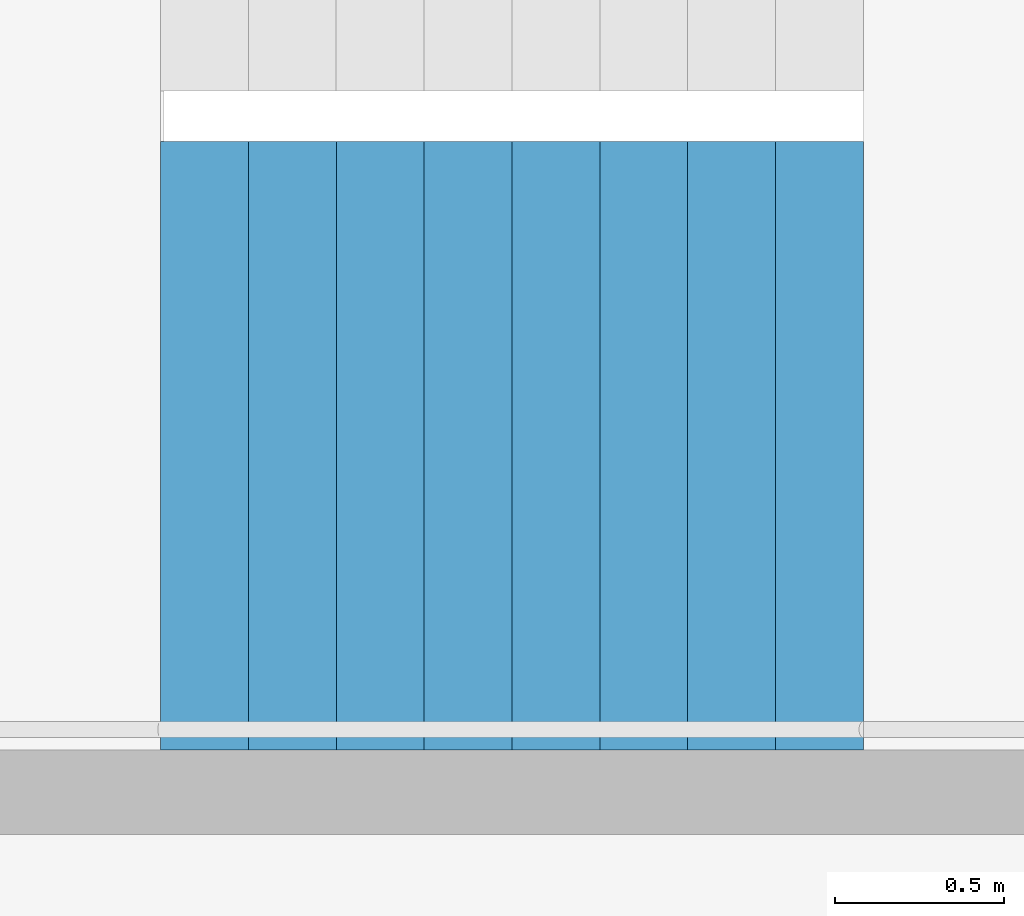
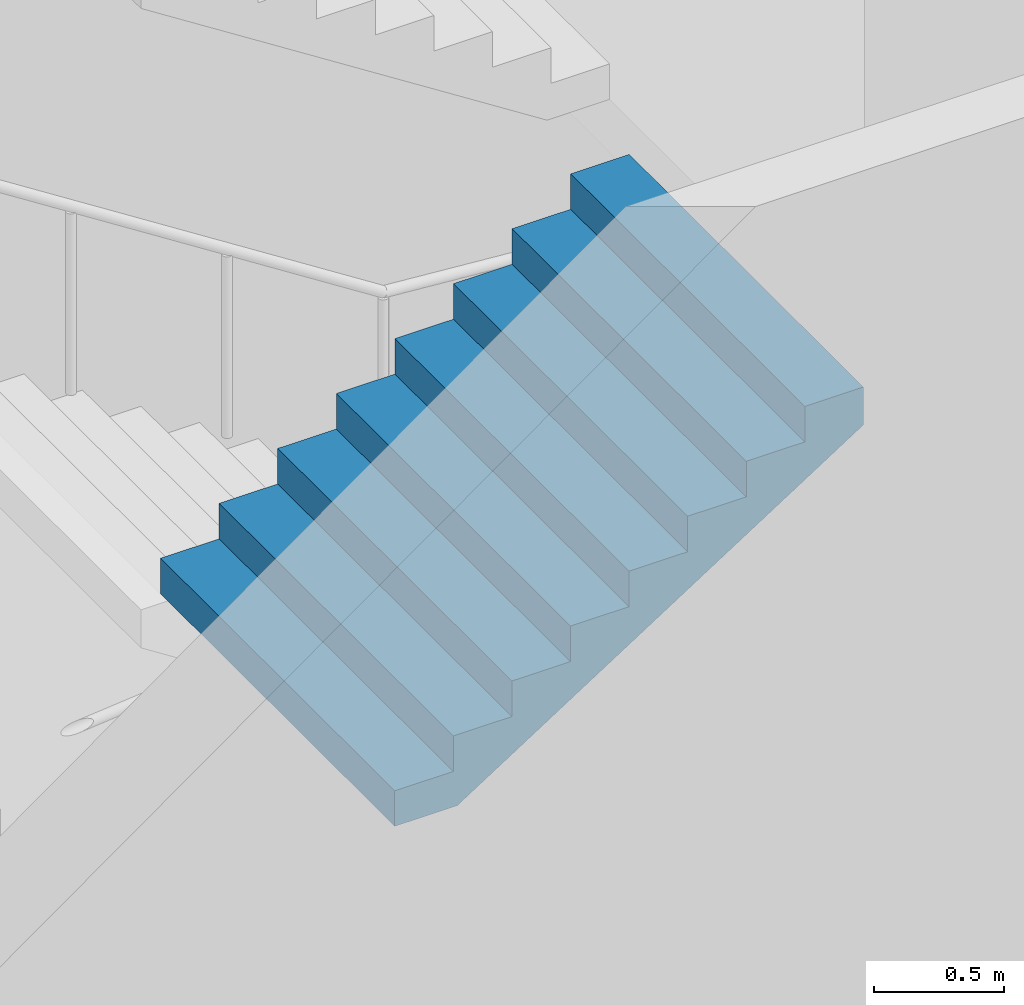
# One storey, part 23 of 35: 1 stair flight, 1 element without a shape of its own.
"""IFC4 building model written with IfcOpenShell, lengths in metres."""

from ifc_helpers import new_model, si_unit, direction, frame, origin, place, context, subcontext, project, spatial, triangles, material, type_object, element, aggregate, save


model = new_model("IFC4")

# Units and contexts
model_context = context("Model", 3, precision=1e-05, world=origin(), true_north=direction((0.0, 1.0)))
body_context = subcontext(model_context, "Body", "Model", "MODEL_VIEW")
ifc_project = project(units=[si_unit("LENGTHUNIT", "METRE"), si_unit("AREAUNIT", "SQUARE_METRE"), si_unit("VOLUMEUNIT", "CUBIC_METRE"), si_unit("PLANEANGLEUNIT", "RADIAN"), si_unit("MASSUNIT", "GRAM", prefix="KILO")], contexts=[model_context])

# Site, building, storey
site_placement = place(None, origin())
site = spatial("IfcSite", under=ifc_project, at=site_placement, CompositionType="ELEMENT")
building_placement = place(site_placement, origin())
building = spatial("IfcBuilding", under=site, at=building_placement, Name="Hakoniwa Tower and Hamabe Station Hall", CompositionType="ELEMENT")
storey_placement = place(building_placement, frame((0.0, 0.0, 264.60009765625)))
storey = spatial("IfcBuildingStorey", under=building, at=storey_placement, Name="L75", CompositionType="ELEMENT", Elevation=264.60009765625)

# Stair, stair flight
ifc_material_1 = material(Name="Concrete C40", Category="concrete")
stair_type = type_object("IfcStairType", Name="ESCAPE STAIR 1800", PredefinedType="HALF_TURN_STAIR", material=ifc_material_1)
stair_placement = place(storey_placement, origin())
stair = element("IfcStair", 1, at=stair_placement, inside=storey, type_object=stair_type, Name="Escape stair ST-1 L75", PredefinedType="HALF_TURN_STAIR")
ifc_material_2 = material(Name="Concrete C40", Category="concrete")
stair_flight_type = type_object("IfcStairFlightType", Name="STAIR FLIGHT 1800", PredefinedType="STRAIGHT", material=ifc_material_2)
stair_flight_placement = place(storey_placement, frame((-24.39990234375, 4.64990234375, 3.0), z_axis=(0.0, 0.0, 1.0), x_axis=(1.0, 0.0, 0.0)))
stair_flight = element("IfcStairFlight", 2, at=stair_flight_placement, type_object=stair_flight_type, Name="ST-1 flight 3", NumberOfRisers=9, NumberOfTreads=8, PredefinedType="STRAIGHT", RiserHeight=0.166666667, TreadLength=0.26, context=body_context, shape_type="Tessellation", body=[
    triangles([(0.0, 0.89990234375, 0.0), (0.260009765625, 0.89990234375, 0.0), (0.27783203125, 0.89990234375, 0.0), (0.52001953125, 0.89990234375, 0.1552734375), (0.780029296875, 0.89990234375, 0.322021484375), (1.0400390625, 0.89990234375, 0.488525390625), (1.300048828125, 0.89990234375, 0.6552734375), (1.56005859375, 0.89990234375, 0.822021484375), (1.820068359375, 0.89990234375, 0.988525390625), (2.080078125, 0.89990234375, 1.1552734375), (2.080078125, 0.89990234375, 1.333251953125), (1.820068359375, 0.89990234375, 1.333251953125), (1.820068359375, 0.89990234375, 1.166748046875), (1.56005859375, 0.89990234375, 1.166748046875), (1.56005859375, 0.89990234375, 1.0), (1.300048828125, 0.89990234375, 1.0), (1.300048828125, 0.89990234375, 0.833251953125), (1.0400390625, 0.89990234375, 0.833251953125), (1.0400390625, 0.89990234375, 0.666748046875), (0.780029296875, 0.89990234375, 0.666748046875), (0.780029296875, 0.89990234375, 0.5), (0.52001953125, 0.89990234375, 0.5), (0.52001953125, 0.89990234375, 0.333251953125), (0.27783203125, 0.89990234375, 0.333251953125), (0.260009765625, 0.89990234375, 0.333251953125), (0.260009765625, 0.89990234375, 0.166748046875), (0.0, 0.89990234375, 0.166748046875), (0.0, 0.06005859375, 0.0), (0.260009765625, 0.06005859375, 0.0), (0.27783203125, 0.06005859375, 0.0), (0.52001953125, 0.06005859375, 0.1552734375), (0.780029296875, 0.06005859375, 0.322021484375), (1.0400390625, 0.06005859375, 0.488525390625), (1.300048828125, 0.06005859375, 0.6552734375), (1.56005859375, 0.06005859375, 0.822021484375), (1.820068359375, 0.06005859375, 0.988525390625), (2.080078125, 0.06005859375, 1.1552734375), (2.080078125, 0.06005859375, 1.333251953125), (1.820068359375, 0.06005859375, 1.333251953125), (1.820068359375, 0.06005859375, 1.166748046875), (1.56005859375, 0.06005859375, 1.166748046875), (1.56005859375, 0.06005859375, 1.0), (1.300048828125, 0.06005859375, 1.0), (1.300048828125, 0.06005859375, 0.833251953125), (1.0400390625, 0.06005859375, 0.833251953125), (1.0400390625, 0.06005859375, 0.666748046875), (0.780029296875, 0.06005859375, 0.666748046875), (0.780029296875, 0.06005859375, 0.5), (0.52001953125, 0.06005859375, 0.5), (0.52001953125, 0.06005859375, 0.333251953125), (0.27783203125, 0.06005859375, 0.333251953125), (0.260009765625, 0.06005859375, 0.333251953125), (0.260009765625, 0.06005859375, 0.166748046875), (0.0, 0.06005859375, 0.166748046875), (0.0, 0.04296875, 0.0), (0.260009765625, 0.04296875, 0.0), (0.27783203125, 0.04296875, 0.0), (0.52001953125, 0.04296875, 0.1552734375), (0.780029296875, 0.04296875, 0.322021484375), (1.0400390625, 0.04296875, 0.488525390625), (1.300048828125, 0.04296875, 0.6552734375), (1.56005859375, 0.04296875, 0.822021484375), (1.820068359375, 0.04296875, 0.988525390625), (2.080078125, 0.04296875, 1.1552734375), (2.080078125, 0.04296875, 1.333251953125), (1.820068359375, 0.04296875, 1.333251953125), (1.820068359375, 0.04296875, 1.166748046875), (1.56005859375, 0.04296875, 1.166748046875), (1.56005859375, 0.04296875, 1.0), (1.300048828125, 0.04296875, 1.0), (1.300048828125, 0.04296875, 0.833251953125), (1.0400390625, 0.04296875, 0.833251953125), (1.0400390625, 0.04296875, 0.666748046875), (0.780029296875, 0.04296875, 0.666748046875), (0.780029296875, 0.04296875, 0.5), (0.52001953125, 0.04296875, 0.5), (0.52001953125, 0.04296875, 0.333251953125), (0.27783203125, 0.04296875, 0.333251953125), (0.260009765625, 0.04296875, 0.333251953125), (0.260009765625, 0.04296875, 0.166748046875), (0.0, 0.04296875, 0.166748046875), (0.0, 0.025634765625, 0.0), (0.260009765625, 0.025634765625, 0.0), (0.27783203125, 0.025634765625, 0.0), (0.52001953125, 0.025634765625, 0.1552734375), (0.780029296875, 0.025634765625, 0.322021484375), (1.0400390625, 0.025634765625, 0.488525390625), (1.300048828125, 0.025634765625, 0.6552734375), (1.56005859375, 0.025634765625, 0.822021484375), (1.820068359375, 0.025634765625, 0.988525390625), (2.080078125, 0.025634765625, 1.1552734375), (2.080078125, 0.025634765625, 1.333251953125), (1.820068359375, 0.025634765625, 1.333251953125), (1.820068359375, 0.025634765625, 1.166748046875), (1.56005859375, 0.025634765625, 1.166748046875), (1.56005859375, 0.025634765625, 1.0), (1.300048828125, 0.025634765625, 1.0), (1.300048828125, 0.025634765625, 0.833251953125), (1.0400390625, 0.025634765625, 0.833251953125), (1.0400390625, 0.025634765625, 0.666748046875), (0.780029296875, 0.025634765625, 0.666748046875), (0.780029296875, 0.025634765625, 0.5), (0.52001953125, 0.025634765625, 0.5), (0.52001953125, 0.025634765625, 0.333251953125), (0.27783203125, 0.025634765625, 0.333251953125), (0.260009765625, 0.025634765625, 0.333251953125), (0.260009765625, 0.025634765625, 0.166748046875), (0.0, 0.025634765625, 0.166748046875), (0.0, 0.008544921875, 0.0), (0.260009765625, 0.008544921875, 0.0), (0.27783203125, 0.008544921875, 0.0), (0.52001953125, 0.008544921875, 0.1552734375), (0.780029296875, 0.008544921875, 0.322021484375), (1.0400390625, 0.008544921875, 0.488525390625), (1.300048828125, 0.008544921875, 0.6552734375), (1.56005859375, 0.008544921875, 0.822021484375), (1.820068359375, 0.008544921875, 0.988525390625), (2.080078125, 0.008544921875, 1.1552734375), (2.080078125, 0.008544921875, 1.333251953125), (1.820068359375, 0.008544921875, 1.333251953125), (1.820068359375, 0.008544921875, 1.166748046875), (1.56005859375, 0.008544921875, 1.166748046875), (1.56005859375, 0.008544921875, 1.0), (1.300048828125, 0.008544921875, 1.0), (1.300048828125, 0.008544921875, 0.833251953125), (1.0400390625, 0.008544921875, 0.833251953125), (1.0400390625, 0.008544921875, 0.666748046875), (0.780029296875, 0.008544921875, 0.666748046875), (0.780029296875, 0.008544921875, 0.5), (0.52001953125, 0.008544921875, 0.5), (0.52001953125, 0.008544921875, 0.333251953125), (0.27783203125, 0.008544921875, 0.333251953125), (0.260009765625, 0.008544921875, 0.333251953125), (0.260009765625, 0.008544921875, 0.166748046875), (0.0, 0.008544921875, 0.166748046875), (0.0, -0.008544921875, 0.0), (0.260009765625, -0.008544921875, 0.0), (0.27783203125, -0.008544921875, 0.0), (0.52001953125, -0.008544921875, 0.1552734375), (0.780029296875, -0.008544921875, 0.322021484375), (1.0400390625, -0.008544921875, 0.488525390625), (1.300048828125, -0.008544921875, 0.6552734375), (1.56005859375, -0.008544921875, 0.822021484375), (1.820068359375, -0.008544921875, 0.988525390625), (2.080078125, -0.008544921875, 1.1552734375), (2.080078125, -0.008544921875, 1.333251953125), (1.820068359375, -0.008544921875, 1.333251953125), (1.820068359375, -0.008544921875, 1.166748046875), (1.56005859375, -0.008544921875, 1.166748046875), (1.56005859375, -0.008544921875, 1.0), (1.300048828125, -0.008544921875, 1.0), (1.300048828125, -0.008544921875, 0.833251953125), (1.0400390625, -0.008544921875, 0.833251953125), (1.0400390625, -0.008544921875, 0.666748046875), (0.780029296875, -0.008544921875, 0.666748046875), (0.780029296875, -0.008544921875, 0.5), (0.52001953125, -0.008544921875, 0.5), (0.52001953125, -0.008544921875, 0.333251953125), (0.27783203125, -0.008544921875, 0.333251953125), (0.260009765625, -0.008544921875, 0.333251953125), (0.260009765625, -0.008544921875, 0.166748046875), (0.0, -0.008544921875, 0.166748046875), (0.0, -0.025634765625, 0.0), (0.260009765625, -0.025634765625, 0.0), (0.27783203125, -0.025634765625, 0.0), (0.52001953125, -0.025634765625, 0.1552734375), (0.780029296875, -0.025634765625, 0.322021484375), (1.0400390625, -0.025634765625, 0.488525390625), (1.300048828125, -0.025634765625, 0.6552734375), (1.56005859375, -0.025634765625, 0.822021484375), (1.820068359375, -0.025634765625, 0.988525390625), (2.080078125, -0.025634765625, 1.1552734375), (2.080078125, -0.025634765625, 1.333251953125), (1.820068359375, -0.025634765625, 1.333251953125), (1.820068359375, -0.025634765625, 1.166748046875), (1.56005859375, -0.025634765625, 1.166748046875), (1.56005859375, -0.025634765625, 1.0), (1.300048828125, -0.025634765625, 1.0), (1.300048828125, -0.025634765625, 0.833251953125), (1.0400390625, -0.025634765625, 0.833251953125), (1.0400390625, -0.025634765625, 0.666748046875), (0.780029296875, -0.025634765625, 0.666748046875), (0.780029296875, -0.025634765625, 0.5), (0.52001953125, -0.025634765625, 0.5), (0.52001953125, -0.025634765625, 0.333251953125), (0.27783203125, -0.025634765625, 0.333251953125), (0.260009765625, -0.025634765625, 0.333251953125), (0.260009765625, -0.025634765625, 0.166748046875), (0.0, -0.025634765625, 0.166748046875), (0.0, -0.04296875, 0.0), (0.260009765625, -0.04296875, 0.0), (0.27783203125, -0.04296875, 0.0), (0.52001953125, -0.04296875, 0.1552734375), (0.780029296875, -0.04296875, 0.322021484375), (1.0400390625, -0.04296875, 0.488525390625), (1.300048828125, -0.04296875, 0.6552734375), (1.56005859375, -0.04296875, 0.822021484375), (1.820068359375, -0.04296875, 0.988525390625), (2.080078125, -0.04296875, 1.1552734375), (2.080078125, -0.04296875, 1.333251953125), (1.820068359375, -0.04296875, 1.333251953125), (1.820068359375, -0.04296875, 1.166748046875), (1.56005859375, -0.04296875, 1.166748046875), (1.56005859375, -0.04296875, 1.0), (1.300048828125, -0.04296875, 1.0), (1.300048828125, -0.04296875, 0.833251953125), (1.0400390625, -0.04296875, 0.833251953125), (1.0400390625, -0.04296875, 0.666748046875), (0.780029296875, -0.04296875, 0.666748046875), (0.780029296875, -0.04296875, 0.5), (0.52001953125, -0.04296875, 0.5), (0.52001953125, -0.04296875, 0.333251953125), (0.27783203125, -0.04296875, 0.333251953125), (0.260009765625, -0.04296875, 0.333251953125), (0.260009765625, -0.04296875, 0.166748046875), (0.0, -0.04296875, 0.166748046875), (0.0, -0.06005859375, 0.0), (0.260009765625, -0.06005859375, 0.0), (0.27783203125, -0.06005859375, 0.0), (0.52001953125, -0.06005859375, 0.1552734375), (0.780029296875, -0.06005859375, 0.322021484375), (1.0400390625, -0.06005859375, 0.488525390625), (1.300048828125, -0.06005859375, 0.6552734375), (1.56005859375, -0.06005859375, 0.822021484375), (1.820068359375, -0.06005859375, 0.988525390625), (2.080078125, -0.06005859375, 1.1552734375), (2.080078125, -0.06005859375, 1.333251953125), (1.820068359375, -0.06005859375, 1.333251953125), (1.820068359375, -0.06005859375, 1.166748046875), (1.56005859375, -0.06005859375, 1.166748046875), (1.56005859375, -0.06005859375, 1.0), (1.300048828125, -0.06005859375, 1.0), (1.300048828125, -0.06005859375, 0.833251953125), (1.0400390625, -0.06005859375, 0.833251953125), (1.0400390625, -0.06005859375, 0.666748046875), (0.780029296875, -0.06005859375, 0.666748046875), (0.780029296875, -0.06005859375, 0.5), (0.52001953125, -0.06005859375, 0.5), (0.52001953125, -0.06005859375, 0.333251953125), (0.27783203125, -0.06005859375, 0.333251953125), (0.260009765625, -0.06005859375, 0.333251953125), (0.260009765625, -0.06005859375, 0.166748046875), (0.0, -0.06005859375, 0.166748046875), (0.0, -0.89990234375, 0.0), (0.260009765625, -0.89990234375, 0.0), (0.27783203125, -0.89990234375, 0.0), (0.52001953125, -0.89990234375, 0.1552734375), (0.780029296875, -0.89990234375, 0.322021484375), (1.0400390625, -0.89990234375, 0.488525390625), (1.300048828125, -0.89990234375, 0.6552734375), (1.56005859375, -0.89990234375, 0.822021484375), (1.820068359375, -0.89990234375, 0.988525390625), (2.080078125, -0.89990234375, 1.1552734375), (2.080078125, -0.89990234375, 1.333251953125), (1.820068359375, -0.89990234375, 1.333251953125), (1.820068359375, -0.89990234375, 1.166748046875), (1.56005859375, -0.89990234375, 1.166748046875), (1.56005859375, -0.89990234375, 1.0), (1.300048828125, -0.89990234375, 1.0), (1.300048828125, -0.89990234375, 0.833251953125), (1.0400390625, -0.89990234375, 0.833251953125), (1.0400390625, -0.89990234375, 0.666748046875), (0.780029296875, -0.89990234375, 0.666748046875), (0.780029296875, -0.89990234375, 0.5), (0.52001953125, -0.89990234375, 0.5), (0.52001953125, -0.89990234375, 0.333251953125), (0.27783203125, -0.89990234375, 0.333251953125), (0.260009765625, -0.89990234375, 0.333251953125), (0.260009765625, -0.89990234375, 0.166748046875), (0.0, -0.89990234375, 0.166748046875)], [[2, 27, 26], [245, 269, 270], [2, 1, 27], [245, 270, 244], [3, 25, 24], [246, 267, 268], [3, 26, 25], [246, 268, 269], [3, 2, 26], [246, 269, 245], [4, 24, 23], [247, 266, 267], [4, 3, 24], [247, 267, 246], [5, 22, 21], [248, 264, 265], [5, 23, 22], [248, 265, 266], [5, 4, 23], [248, 266, 247], [6, 20, 19], [249, 262, 263], [6, 21, 20], [249, 263, 264], [6, 5, 21], [249, 264, 248], [7, 18, 17], [250, 260, 261], [7, 19, 18], [250, 261, 262], [7, 6, 19], [250, 262, 249], [8, 16, 15], [251, 258, 259], [8, 17, 16], [251, 259, 260], [8, 7, 17], [251, 260, 250], [9, 14, 13], [252, 256, 257], [9, 15, 14], [252, 257, 258], [9, 8, 15], [252, 258, 251], [10, 12, 11], [253, 254, 255], [10, 13, 12], [253, 255, 256], [10, 9, 13], [253, 256, 252], [1, 2, 29], [1, 29, 28], [28, 29, 56], [28, 56, 55], [55, 56, 83], [55, 83, 82], [82, 83, 110], [82, 110, 109], [109, 110, 137], [109, 137, 136], [136, 137, 164], [136, 164, 163], [163, 164, 191], [163, 191, 190], [190, 191, 218], [190, 218, 217], [217, 218, 245], [217, 245, 244], [2, 3, 30], [2, 30, 29], [29, 30, 57], [29, 57, 56], [56, 57, 84], [56, 84, 83], [83, 84, 111], [83, 111, 110], [110, 111, 138], [110, 138, 137], [137, 138, 165], [137, 165, 164], [164, 165, 192], [164, 192, 191], [191, 192, 219], [191, 219, 218], [218, 219, 246], [218, 246, 245], [3, 4, 31], [3, 31, 30], [30, 31, 58], [30, 58, 57], [57, 58, 85], [57, 85, 84], [84, 85, 112], [84, 112, 111], [111, 112, 139], [111, 139, 138], [138, 139, 166], [138, 166, 165], [165, 166, 193], [165, 193, 192], [192, 193, 220], [192, 220, 219], [219, 220, 247], [219, 247, 246], [4, 5, 32], [4, 32, 31], [31, 32, 59], [31, 59, 58], [58, 59, 86], [58, 86, 85], [85, 86, 113], [85, 113, 112], [112, 113, 140], [112, 140, 139], [139, 140, 167], [139, 167, 166], [166, 167, 194], [166, 194, 193], [193, 194, 221], [193, 221, 220], [220, 221, 248], [220, 248, 247], [5, 6, 33], [5, 33, 32], [32, 33, 60], [32, 60, 59], [59, 60, 87], [59, 87, 86], [86, 87, 114], [86, 114, 113], [113, 114, 141], [113, 141, 140], [140, 141, 168], [140, 168, 167], [167, 168, 195], [167, 195, 194], [194, 195, 222], [194, 222, 221], [221, 222, 249], [221, 249, 248], [6, 7, 34], [6, 34, 33], [33, 34, 61], [33, 61, 60], [60, 61, 88], [60, 88, 87], [87, 88, 115], [87, 115, 114], [114, 115, 142], [114, 142, 141], [141, 142, 169], [141, 169, 168], [168, 169, 196], [168, 196, 195], [195, 196, 223], [195, 223, 222], [222, 223, 250], [222, 250, 249], [7, 8, 35], [7, 35, 34], [34, 35, 62], [34, 62, 61], [61, 62, 89], [61, 89, 88], [88, 89, 116], [88, 116, 115], [115, 116, 143], [115, 143, 142], [142, 143, 170], [142, 170, 169], [169, 170, 197], [169, 197, 196], [196, 197, 224], [196, 224, 223], [223, 224, 251], [223, 251, 250], [8, 9, 36], [8, 36, 35], [35, 36, 63], [35, 63, 62], [62, 63, 90], [62, 90, 89], [89, 90, 117], [89, 117, 116], [116, 117, 144], [116, 144, 143], [143, 144, 171], [143, 171, 170], [170, 171, 198], [170, 198, 197], [197, 198, 225], [197, 225, 224], [224, 225, 252], [224, 252, 251], [9, 10, 37], [9, 37, 36], [36, 37, 64], [36, 64, 63], [63, 64, 91], [63, 91, 90], [90, 91, 118], [90, 118, 117], [117, 118, 145], [117, 145, 144], [144, 145, 172], [144, 172, 171], [171, 172, 199], [171, 199, 198], [198, 199, 226], [198, 226, 225], [225, 226, 253], [225, 253, 252], [10, 11, 38], [10, 38, 37], [37, 38, 65], [37, 65, 64], [64, 65, 92], [64, 92, 91], [91, 92, 119], [91, 119, 118], [118, 119, 146], [118, 146, 145], [145, 146, 173], [145, 173, 172], [172, 173, 200], [172, 200, 199], [199, 200, 227], [199, 227, 226], [226, 227, 254], [226, 254, 253], [11, 12, 39], [11, 39, 38], [38, 39, 66], [38, 66, 65], [65, 66, 93], [65, 93, 92], [92, 93, 120], [92, 120, 119], [119, 120, 147], [119, 147, 146], [146, 147, 174], [146, 174, 173], [173, 174, 201], [173, 201, 200], [200, 201, 228], [200, 228, 227], [227, 228, 255], [227, 255, 254], [12, 13, 40], [12, 40, 39], [39, 40, 67], [39, 67, 66], [66, 67, 94], [66, 94, 93], [93, 94, 121], [93, 121, 120], [120, 121, 148], [120, 148, 147], [147, 148, 175], [147, 175, 174], [174, 175, 202], [174, 202, 201], [201, 202, 229], [201, 229, 228], [228, 229, 256], [228, 256, 255], [13, 14, 41], [13, 41, 40], [40, 41, 68], [40, 68, 67], [67, 68, 95], [67, 95, 94], [94, 95, 122], [94, 122, 121], [121, 122, 149], [121, 149, 148], [148, 149, 176], [148, 176, 175], [175, 176, 203], [175, 203, 202], [202, 203, 230], [202, 230, 229], [229, 230, 257], [229, 257, 256], [14, 15, 42], [14, 42, 41], [41, 42, 69], [41, 69, 68], [68, 69, 96], [68, 96, 95], [95, 96, 123], [95, 123, 122], [122, 123, 150], [122, 150, 149], [149, 150, 177], [149, 177, 176], [176, 177, 204], [176, 204, 203], [203, 204, 231], [203, 231, 230], [230, 231, 258], [230, 258, 257], [15, 16, 43], [15, 43, 42], [42, 43, 70], [42, 70, 69], [69, 70, 97], [69, 97, 96], [96, 97, 124], [96, 124, 123], [123, 124, 151], [123, 151, 150], [150, 151, 178], [150, 178, 177], [177, 178, 205], [177, 205, 204], [204, 205, 232], [204, 232, 231], [231, 232, 259], [231, 259, 258], [16, 17, 44], [16, 44, 43], [43, 44, 71], [43, 71, 70], [70, 71, 98], [70, 98, 97], [97, 98, 125], [97, 125, 124], [124, 125, 152], [124, 152, 151], [151, 152, 179], [151, 179, 178], [178, 179, 206], [178, 206, 205], [205, 206, 233], [205, 233, 232], [232, 233, 260], [232, 260, 259], [17, 18, 45], [17, 45, 44], [44, 45, 72], [44, 72, 71], [71, 72, 99], [71, 99, 98], [98, 99, 126], [98, 126, 125], [125, 126, 153], [125, 153, 152], [152, 153, 180], [152, 180, 179], [179, 180, 207], [179, 207, 206], [206, 207, 234], [206, 234, 233], [233, 234, 261], [233, 261, 260], [18, 19, 46], [18, 46, 45], [45, 46, 73], [45, 73, 72], [72, 73, 100], [72, 100, 99], [99, 100, 127], [99, 127, 126], [126, 127, 154], [126, 154, 153], [153, 154, 181], [153, 181, 180], [180, 181, 208], [180, 208, 207], [207, 208, 235], [207, 235, 234], [234, 235, 262], [234, 262, 261], [19, 20, 47], [19, 47, 46], [46, 47, 74], [46, 74, 73], [73, 74, 101], [73, 101, 100], [100, 101, 128], [100, 128, 127], [127, 128, 155], [127, 155, 154], [154, 155, 182], [154, 182, 181], [181, 182, 209], [181, 209, 208], [208, 209, 236], [208, 236, 235], [235, 236, 263], [235, 263, 262], [20, 21, 48], [20, 48, 47], [47, 48, 75], [47, 75, 74], [74, 75, 102], [74, 102, 101], [101, 102, 129], [101, 129, 128], [128, 129, 156], [128, 156, 155], [155, 156, 183], [155, 183, 182], [182, 183, 210], [182, 210, 209], [209, 210, 237], [209, 237, 236], [236, 237, 264], [236, 264, 263], [21, 22, 49], [21, 49, 48], [48, 49, 76], [48, 76, 75], [75, 76, 103], [75, 103, 102], [102, 103, 130], [102, 130, 129], [129, 130, 157], [129, 157, 156], [156, 157, 184], [156, 184, 183], [183, 184, 211], [183, 211, 210], [210, 211, 238], [210, 238, 237], [237, 238, 265], [237, 265, 264], [22, 23, 50], [22, 50, 49], [49, 50, 77], [49, 77, 76], [76, 77, 104], [76, 104, 103], [103, 104, 131], [103, 131, 130], [130, 131, 158], [130, 158, 157], [157, 158, 185], [157, 185, 184], [184, 185, 212], [184, 212, 211], [211, 212, 239], [211, 239, 238], [238, 239, 266], [238, 266, 265], [23, 24, 51], [23, 51, 50], [50, 51, 78], [50, 78, 77], [77, 78, 105], [77, 105, 104], [104, 105, 132], [104, 132, 131], [131, 132, 159], [131, 159, 158], [158, 159, 186], [158, 186, 185], [185, 186, 213], [185, 213, 212], [212, 213, 240], [212, 240, 239], [239, 240, 267], [239, 267, 266], [24, 25, 52], [24, 52, 51], [51, 52, 79], [51, 79, 78], [78, 79, 106], [78, 106, 105], [105, 106, 133], [105, 133, 132], [132, 133, 160], [132, 160, 159], [159, 160, 187], [159, 187, 186], [186, 187, 214], [186, 214, 213], [213, 214, 241], [213, 241, 240], [240, 241, 268], [240, 268, 267], [25, 26, 53], [25, 53, 52], [52, 53, 80], [52, 80, 79], [79, 80, 107], [79, 107, 106], [106, 107, 134], [106, 134, 133], [133, 134, 161], [133, 161, 160], [160, 161, 188], [160, 188, 187], [187, 188, 215], [187, 215, 214], [214, 215, 242], [214, 242, 241], [241, 242, 269], [241, 269, 268], [26, 27, 54], [26, 54, 53], [53, 54, 81], [53, 81, 80], [80, 81, 108], [80, 108, 107], [107, 108, 135], [107, 135, 134], [134, 135, 162], [134, 162, 161], [161, 162, 189], [161, 189, 188], [188, 189, 216], [188, 216, 215], [215, 216, 243], [215, 243, 242], [242, 243, 270], [242, 270, 269], [27, 1, 28], [27, 28, 54], [54, 28, 55], [54, 55, 81], [81, 55, 82], [81, 82, 108], [108, 82, 109], [108, 109, 135], [135, 109, 136], [135, 136, 162], [162, 136, 163], [162, 163, 189], [189, 163, 190], [189, 190, 216], [216, 190, 217], [216, 217, 243], [243, 217, 244], [243, 244, 270]], closed=True),
])
aggregate(stair, [stair_flight])

save(model, "model.ifc")
